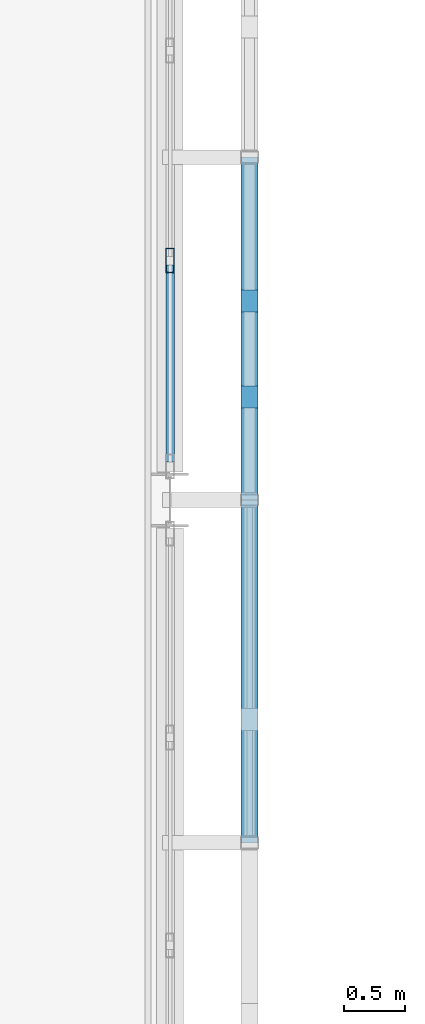
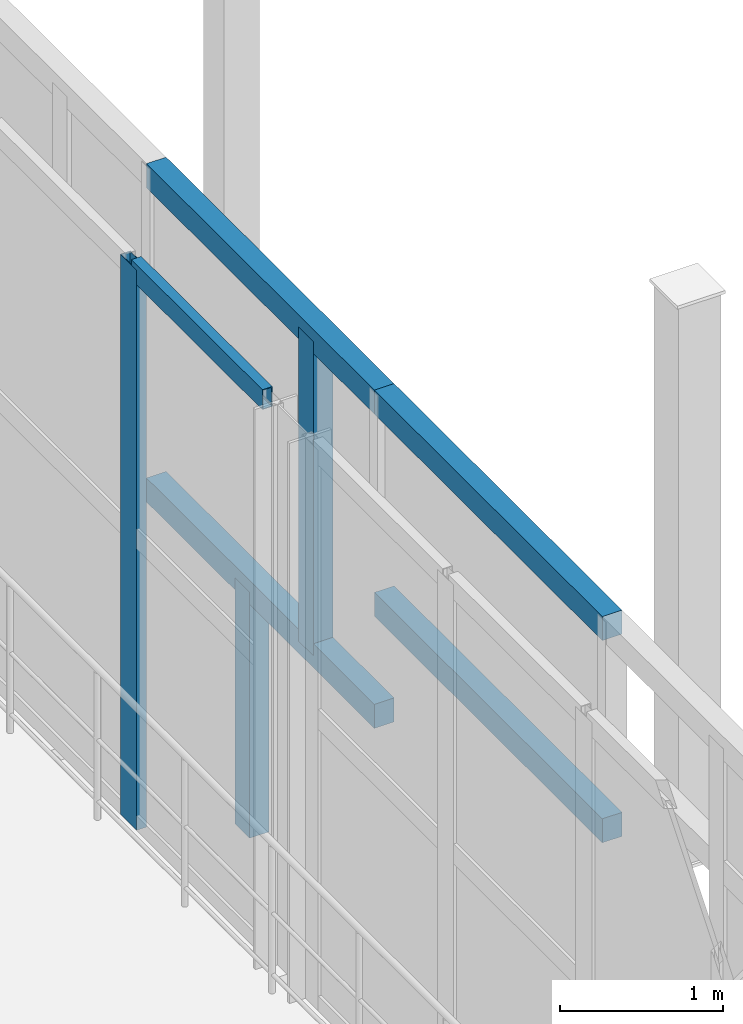
# One storey, part 36 of 121: 8 members, 1 element without a shape of its own.
"""IFC4 building model written with IfcOpenShell, lengths in metres."""

from ifc_helpers import new_model, si_unit, direction, frame, origin, origin_2d, place, context, subcontext, project, spatial, rectangle, hollow_rectangle, extrude, material, layer, layer_set, material_profile, profile_set, type_object, element, aggregate, save


model = new_model("IFC4")

# Units and contexts
model_context = context("Model", 3, precision=1e-05, world=origin(), true_north=direction((0.0, 1.0)))
body_context = subcontext(model_context, "Body", "Model", "MODEL_VIEW")
ifc_project = project(units=[si_unit("LENGTHUNIT", "METRE"), si_unit("AREAUNIT", "SQUARE_METRE"), si_unit("VOLUMEUNIT", "CUBIC_METRE"), si_unit("PLANEANGLEUNIT", "RADIAN"), si_unit("MASSUNIT", "GRAM", prefix="KILO")], contexts=[model_context])

# Site, building, storey
site_placement = place(None, origin())
site = spatial("IfcSite", under=ifc_project, at=site_placement, CompositionType="ELEMENT")
building_placement = place(site_placement, origin())
building = spatial("IfcBuilding", under=site, at=building_placement, Name="Vinh Khe Railworks Police Headquarters", CompositionType="ELEMENT")
storey_placement = place(building_placement, frame((0.0, 0.0, 4.800048828125)))
storey = spatial("IfcBuildingStorey", under=building, at=storey_placement, Name="L01", CompositionType="ELEMENT", Elevation=4.800048828125)

# Members
ifc_material_1 = material(Name="Salvaged ironwood timber", Category="wood")
ifc_material_profile_1 = material_profile(ifc_material_1, rectangle(XDim=0.139892578125, YDim=0.179931640625, at=origin_2d()), Name="TIMBER 140x180")
ifc_profile_set_1 = profile_set([ifc_material_profile_1], Name="Salvaged ironwood timber")
member_type_1 = type_object("IfcMemberType", Name="MEM-QUILT-STILE", PredefinedType="CHORD", material=ifc_profile_set_1)
for number, where, z_axis, x_axis, name in (
    (1, (60.64990234375, 28.0, 4.119873046875), (0.0, 1.0, 0.0), (-1.0, 0.0, 0.0), "Salvaged Timber Quilt Transom E-L01-01-TOP"),
    (2, (60.64990234375, 28.0, 2.60400390625), (0.0, 1.0, 0.0), (-1.0, 0.0, 0.0), "Salvaged Timber Quilt Transom E-L01-01-M1"),
    (3, (60.64990234375, 30.800048828125, 4.119873046875), (0.0, 1.0, 0.0), (-1.0, 0.0, 0.0), "Salvaged Timber Quilt Transom E-L01-02-TOP"),
    (4, (60.64990234375, 30.800048828125, 1.763916015625), (0.0, 1.0, 0.0), (-1.0, 0.0, 0.0), "Salvaged Timber Quilt Transom E-L01-02-M1"),
):
    element("IfcMember", number, at=place(storey_placement, frame(where, z_axis=z_axis, x_axis=x_axis)), inside=storey, type_object=member_type_1, Name=name, PredefinedType="CHORD", context=body_context, shape_type="SweptSolid", body=[
        extrude(rectangle(XDim=0.139892578125, YDim=0.179931640625, at=origin_2d()), origin(), (0.0, 0.0, 1.0), 2.800048828125),
    ])
member_1_placement = place(storey_placement, frame((60.64990234375, 32.424072265625, -0.080078125), z_axis=(0.0, 0.0, 1.0), x_axis=(1.0, 0.0, 0.0)))
element("IfcMember", 5, at=member_1_placement, inside=storey, type_object=member_type_1, Name="Salvaged Timber Quilt Stile E-L01-02-V1", PredefinedType="POST", context=body_context, shape_type="SweptSolid", body=[
    extrude(rectangle(XDim=0.139892578125, YDim=0.179931640625, at=origin_2d()), origin(), (0.0, 0.0, 1.0), 1.843994140625),
])
member_2_placement = place(storey_placement, frame((60.64990234375, 31.639892578125, 1.763916015625), z_axis=(0.0, 0.0, 1.0), x_axis=(1.0, 0.0, 0.0)))
element("IfcMember", 6, at=member_2_placement, inside=storey, type_object=member_type_1, Name="Salvaged Timber Quilt Stile E-L01-02-V2", PredefinedType="POST", context=body_context, shape_type="SweptSolid", body=[
    extrude(rectangle(XDim=0.139892578125, YDim=0.179931640625, at=origin_2d()), origin(), (0.0, 0.0, 1.0), 2.35595703125),
])

# Curtain wall, members
ifc_material_2 = material(Name="Anodised aluminium and low-iron glass", Category="aluminium")
ifc_layer = layer(ifc_material_2, 0.179931640625)
ifc_layer_set = layer_set([ifc_layer], Name="Anodised aluminium and low-iron glass")
curtain_wall_type = type_object("IfcCurtainWallType", Name="CW-CUBE-UNIT", PredefinedType="USERDEFINED", material=ifc_layer_set)
curtain_wall_placement = place(storey_placement, origin())
curtain_wall = element("IfcCurtainWall", 7, at=curtain_wall_placement, inside=storey, type_object=curtain_wall_type, Name="Entrance Hall Curtain Wall L01 E-2", ObjectType="UNITISED GLAZING", PredefinedType="USERDEFINED")
ifc_material_3 = material(Name="Anodised aluminium 6063-T6", Category="aluminium")
ifc_material_profile_2 = material_profile(ifc_material_3, hollow_rectangle(XDim=0.070068359375, YDim=0.199951171875, WallThickness=0.0048828125, at=origin_2d()), Name="CW-M 70x200x5")
ifc_profile_set_2 = profile_set([ifc_material_profile_2], Name="Anodised aluminium 6063-T6")
member_type_2 = type_object("IfcMemberType", Name="MULL-CWM-03", PredefinedType="MULLION", material=ifc_profile_set_2)
member_3_placement = place(storey_placement, frame((60.0, 32.7548828125, 0.0), z_axis=(0.0, 0.0, 1.0), x_axis=(-1.0, 0.0, 0.0)))
member_3 = element("IfcMember", 8, at=member_3_placement, type_object=member_type_2, Name="CW-01 mullion 2", PredefinedType="MULLION", context=body_context, shape_type="SweptSolid", body=[
    extrude(hollow_rectangle(XDim=0.070068359375, YDim=0.199951171875, WallThickness=0.0048828125, at=origin_2d()), origin(), (0.0, 0.0, 1.0), 4.199951171875),
])
ifc_material_profile_3 = material_profile(ifc_material_3, hollow_rectangle(XDim=0.070068359375, YDim=0.14990234375, WallThickness=0.0048828125, at=origin_2d()), Name="CW-T 70x150x5")
ifc_profile_set_3 = profile_set([ifc_material_profile_3], Name="Anodised aluminium 6063-T6")
member_type_3 = type_object("IfcMemberType", Name="TRAN-CWT-03", PredefinedType="USERDEFINED", material=ifc_profile_set_3)
member_4_placement = place(storey_placement, frame((60.0, 31.110107421875, 4.1650390625), z_axis=(0.0, 1.0, 0.0), x_axis=(-1.0, 0.0, 0.0)))
member_4 = element("IfcMember", 9, at=member_4_placement, type_object=member_type_3, Name="CW-01 transom 1.3", ObjectType="TRANSOM", PredefinedType="USERDEFINED", context=body_context, shape_type="SweptSolid", body=[
    extrude(hollow_rectangle(XDim=0.070068359375, YDim=0.14990234375, WallThickness=0.0048828125, at=origin_2d()), origin(), (0.0, 0.0, 1.0), 1.60986328125),
])
aggregate(curtain_wall, [member_3, member_4])

save(model, "model.ifc")
